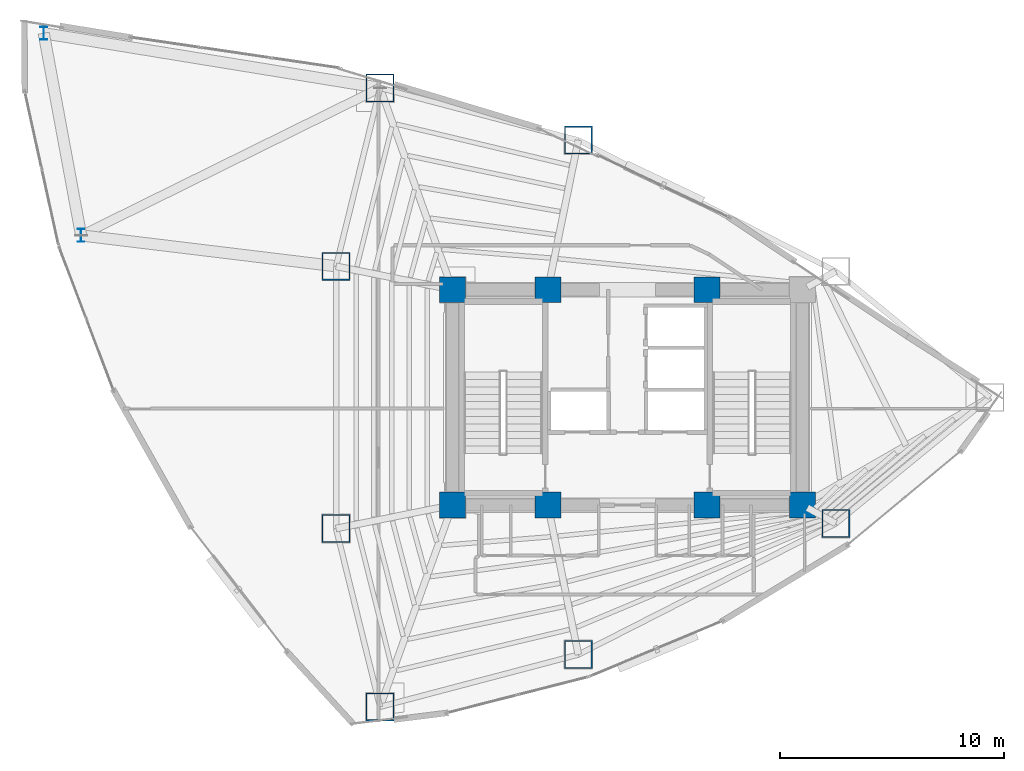
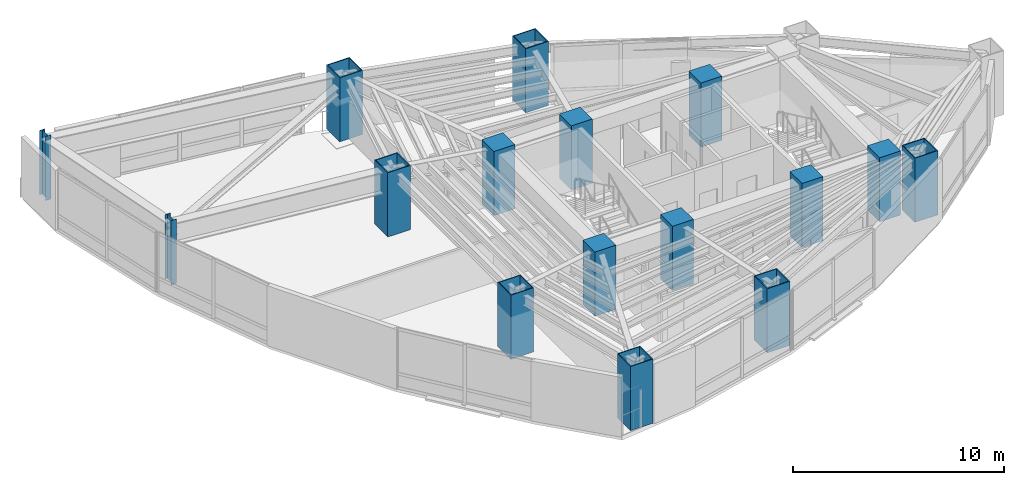
# One storey, part 1 of 23: 16 columns.
"""IFC4 building model written with IfcOpenShell, lengths in metres."""

from ifc_helpers import new_model, si_unit, direction, frame, origin, origin_2d, place, context, subcontext, project, spatial, rectangle, hollow_rectangle, i_section, extrude, material, material_profile, profile_set, type_object, element, save


model = new_model("IFC4")

# Units and contexts
model_context = context("Model", 3, precision=1e-05, world=origin(), true_north=direction((0.0, 1.0)))
body_context = subcontext(model_context, "Body", "Model", "MODEL_VIEW")
ifc_project = project(units=[si_unit("LENGTHUNIT", "METRE"), si_unit("AREAUNIT", "SQUARE_METRE"), si_unit("VOLUMEUNIT", "CUBIC_METRE"), si_unit("PLANEANGLEUNIT", "RADIAN"), si_unit("MASSUNIT", "GRAM", prefix="KILO")], contexts=[model_context])

# Site, building, storey
site_placement = place(None, origin())
site = spatial("IfcSite", under=ifc_project, at=site_placement, CompositionType="ELEMENT")
building_placement = place(site_placement, origin())
building = spatial("IfcBuilding", under=site, at=building_placement, Name="Menara Vayukalpa", CompositionType="ELEMENT")
storey_placement = place(building_placement, frame((0.0, 0.0, 111.419921875)))
storey = spatial("IfcBuildingStorey", under=building, at=storey_placement, Name="L27", CompositionType="ELEMENT", Elevation=111.419921875)

# Columns
ifc_material_1 = material(Name="Concrete C80/95", Category="concrete")
ifc_material_profile_1 = material_profile(ifc_material_1, rectangle(XDim=1.14990234375, YDim=1.14990234375, at=origin_2d()), Name="RC 1150x1150")
ifc_profile_set_1 = profile_set([ifc_material_profile_1], Name="Concrete C80/95")
column_type_1 = type_object("IfcColumnType", Name="COL-CC1", PredefinedType="COLUMN", material=ifc_profile_set_1)
for number, where, z_axis, x_axis, name in (
    (1, (17.800048828125, 17.199951171875, 0.0), (0.0, 0.0, 1.0), (1.0, 0.0, 0.0), "L27 Core Pilaster Column CC1"),
    (2, (22.050048828125, 17.199951171875, 0.0), (0.0, 0.0, 1.0), (1.0, 0.0, 0.0), "L27 Core Pilaster Column CC2"),
    (3, (29.14990234375, 17.199951171875, 0.0), (0.0, 0.0, 1.0), (1.0, 0.0, 0.0), "L27 Core Pilaster Column CC3"),
    (4, (33.39990234375, 17.199951171875, 0.0), (0.0, 0.0, 1.0), (1.0, 0.0, 0.0), "L27 Core Pilaster Column CC4"),
    (5, (17.800048828125, 26.800048828125, 0.0), (0.0, 0.0, 1.0), (1.0, 0.0, 0.0), "L27 Core Pilaster Column CC5"),
    (6, (22.050048828125, 26.800048828125, 0.0), (0.0, 0.0, 1.0), (1.0, 0.0, 0.0), "L27 Core Pilaster Column CC6"),
    (7, (29.14990234375, 26.800048828125, 0.0), (0.0, 0.0, 1.0), (1.0, 0.0, 0.0), "L27 Core Pilaster Column CC7"),
):
    element("IfcColumn", number, at=place(storey_placement, frame(where, z_axis=z_axis, x_axis=x_axis)), inside=storey, type_object=column_type_1, Name=name, PredefinedType="COLUMN", context=body_context, shape_type="SweptSolid", body=[
        extrude(rectangle(XDim=1.14990234375, YDim=1.14990234375, at=origin_2d()), origin(), (0.0, 0.0, 1.0), 3.719970703125),
    ])
ifc_material_2 = material(Name="Steel S460", Category="steel")
ifc_material_profile_2 = material_profile(ifc_material_2, hollow_rectangle(XDim=1.25, YDim=1.25, WallThickness=0.050048828125, at=origin_2d()), Name="BOX 1250x1250x50")
ifc_profile_set_2 = profile_set([ifc_material_profile_2], Name="Steel S460")
column_type_2 = type_object("IfcColumnType", Name="COL-MC2", PredefinedType="COLUMN", material=ifc_profile_set_2)
for number, where, z_axis, x_axis, name in (
    (8, (23.408203125, 33.46728515625, 0.0), (0.0, 0.0, 1.0), (1.0, 0.0, 0.0), "L27 Perimeter Mega Column P03"),
    (9, (14.569091796875, 35.79736328125, 0.0), (0.0, 0.0, 1.0), (1.0, 0.0, 0.0), "L27 Perimeter Mega Column P04"),
    (10, (12.606689453125, 27.845703125, 0.0), (0.0, 0.0, 1.0), (1.0, 0.0, 0.0), "L27 Perimeter Mega Column P05"),
    (11, (12.606689453125, 16.154296875, 0.0), (0.0, 0.0, 1.0), (1.0, 0.0, 0.0), "L27 Perimeter Mega Column P06"),
    (12, (14.569091796875, 8.20263671875, 0.0), (0.0, 0.0, 1.0), (1.0, 0.0, 0.0), "L27 Perimeter Mega Column P07"),
    (13, (23.408203125, 10.53271484375, 0.0), (0.0, 0.0, 1.0), (1.0, 0.0, 0.0), "L27 Perimeter Mega Column P08"),
    (14, (34.88671875, 16.37841796875, 0.0), (0.0, 0.0, 1.0), (1.0, 0.0, 0.0), "L27 Perimeter Mega Column P09"),
):
    element("IfcColumn", number, at=place(storey_placement, frame(where, z_axis=z_axis, x_axis=x_axis)), inside=storey, type_object=column_type_2, Name=name, PredefinedType="COLUMN", context=body_context, shape_type="SweptSolid", body=[
        extrude(hollow_rectangle(XDim=1.25, YDim=1.25, WallThickness=0.050048828125, at=origin_2d()), origin(), (0.0, 0.0, 1.0), 3.719970703125),
    ])
ifc_material_3 = material(Name="Steel S460", Category="steel")
ifc_material_profile_3 = material_profile(ifc_material_3, i_section(OverallWidth=0.300048828125, OverallDepth=0.587890625, WebThickness=0.011962890625, FlangeThickness=0.02001953125, at=origin_2d()), Name="H 588x300x12x20")
ifc_profile_set_3 = profile_set([ifc_material_profile_3], Name="Steel S460")
column_type_3 = type_object("IfcColumnType", Name="COL-SC1", PredefinedType="COLUMN", material=ifc_profile_set_3)
for number, where, z_axis, x_axis, name in (
    (15, (-0.4287109375, 38.2373046875, 0.0), (0.0, 0.0, 1.0), (1.0, 0.0, 0.0), "L27 SB2 Sky Bar Vierendeel Column SB04"),
    (16, (1.239990234375, 29.22314453125, 0.0), (0.0, 0.0, 1.0), (1.0, 0.0, 0.0), "L27 SB2 Sky Bar Vierendeel Column SB05"),
):
    element("IfcColumn", number, at=place(storey_placement, frame(where, z_axis=z_axis, x_axis=x_axis)), inside=storey, type_object=column_type_3, Name=name, PredefinedType="COLUMN", context=body_context, shape_type="SweptSolid", body=[
        extrude(i_section(OverallWidth=0.300048828125, OverallDepth=0.587890625, WebThickness=0.011962890625, FlangeThickness=0.02001953125, at=origin_2d()), origin(), (0.0, 0.0, 1.0), 3.719970703125),
    ])

save(model, "model.ifc")
